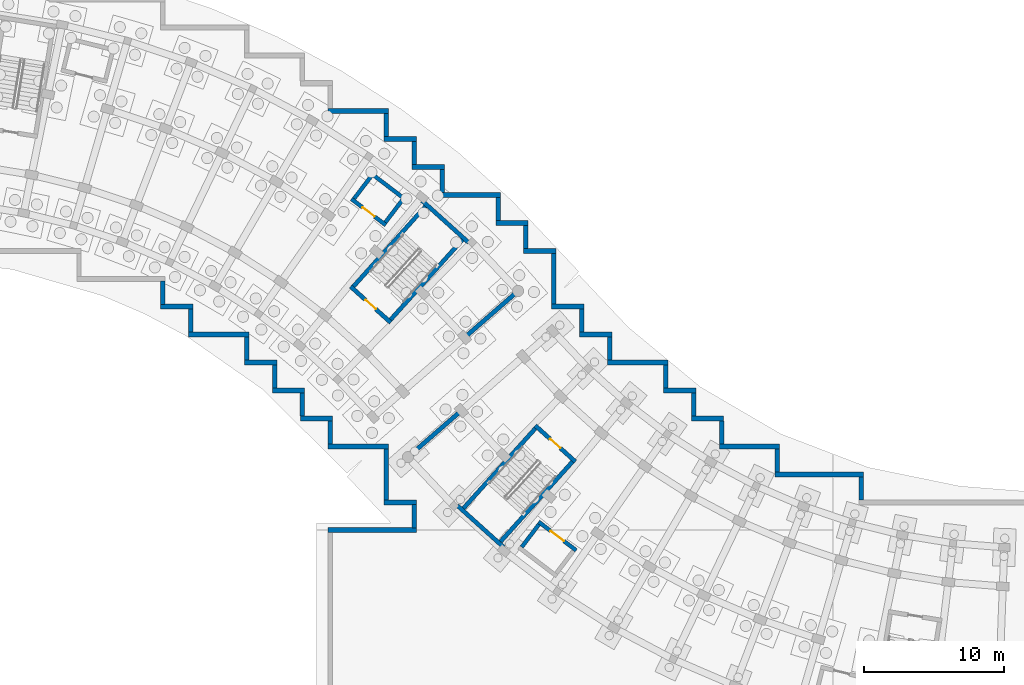
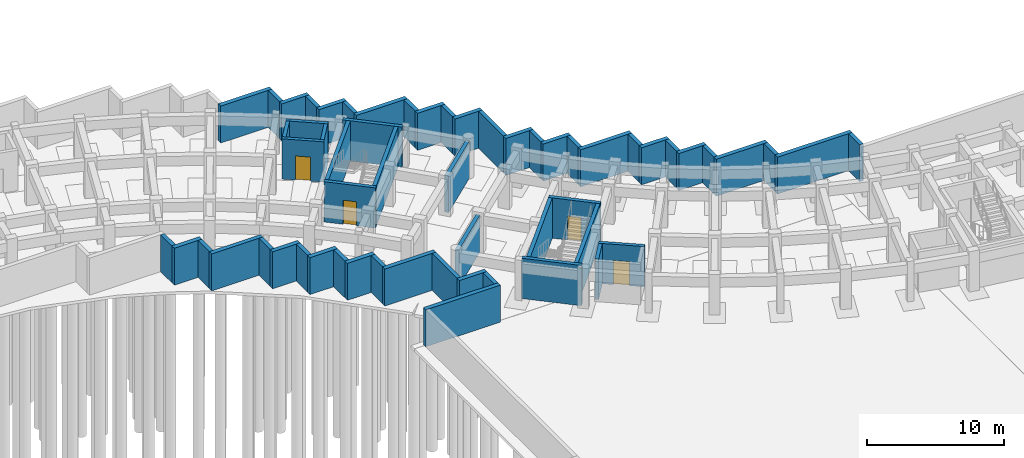
# One storey, part 20 of 32: 58 walls, 4 doors, 4 openings.
"""IFC4 building model written with IfcOpenShell, lengths in metres."""

from ifc_helpers import new_model, si_unit, direction, frame, frame_2d, origin, place, context, subcontext, project, spatial, rectangle, extrude, material, layer, layer_set, type_object, element, fill, save


model = new_model("IFC4")

# Units and contexts
model_context = context("Model", 3, precision=1e-05, world=origin(), true_north=direction((0.0, 1.0)))
body_context = subcontext(model_context, "Body", "Model", "MODEL_VIEW")
ifc_project = project(units=[si_unit("LENGTHUNIT", "METRE"), si_unit("AREAUNIT", "SQUARE_METRE"), si_unit("VOLUMEUNIT", "CUBIC_METRE"), si_unit("PLANEANGLEUNIT", "RADIAN"), si_unit("MASSUNIT", "GRAM", prefix="KILO")], contexts=[model_context])

# Site, building, storey
site_placement = place(None, origin())
site = spatial("IfcSite", under=ifc_project, at=site_placement, CompositionType="ELEMENT")
building_placement = place(site_placement, origin())
building = spatial("IfcBuilding", under=site, at=building_placement, Name="Zimvara Arc Housing Community", CompositionType="ELEMENT")
storey_placement = place(building_placement, frame((0.0, 0.0, -3.60009765625)))
storey = spatial("IfcBuildingStorey", under=building, at=storey_placement, Name="B1", CompositionType="ELEMENT", Elevation=-3.60009765625)

# Wall, opening, door
ifc_material_1 = material(Name="Concrete C40/50", Category="concrete")
ifc_layer_1 = layer(ifc_material_1, 0.280029296875)
ifc_layer_set_1 = layer_set([ifc_layer_1], Name="Concrete C40/50")
wall_type_1 = type_object("IfcWallType", Name="WL-CORE-280", PredefinedType="SHEAR", material=ifc_layer_set_1)
wall_1_placement = place(storey_placement, frame((79.96142578125, 87.84375, 0.0), z_axis=(0.0, 0.0, 1.0), x_axis=(-0.795464365424, 0.606000365793, 0.0)))
wall_1 = element("IfcWall", 1, at=wall_1_placement, inside=storey, type_object=wall_type_1, Name="lwall:LP-B2:B1:front", PredefinedType="SHEAR", context=body_context, shape_type="SweptSolid", body=[
    extrude(rectangle(XDim=3.090087890625, YDim=0.280029296875, at=frame_2d((1.544921875, 0.0))), origin(), (0.0, 0.0, 1.0), 3.60009765625),
])
opening_1_placement = place(wall_1_placement, frame((0.9951171875, 0.0, 0.0)))
opening_1 = element("IfcOpeningElement", 2, at=opening_1_placement, cuts=wall_1, Name="Opening LD-LP-B2", PredefinedType="OPENING", context=body_context, shape_type="SweptSolid", body=[
    extrude(rectangle(XDim=1.10009765625, YDim=2.14990234375, at=frame_2d((0.550048828125, 1.074951171875))), frame((0.0, 0.14990234375, 0.0), z_axis=(0.0, -1.0, 0.0), x_axis=(1.0, 0.0, 0.0)), (0.0, 0.0, 1.0), 0.300048828125),
])
ifc_material_2 = material(Name="Anodised Aluminium AW-6063", Category="aluminium")
door_type_1 = type_object("IfcDoorType", Name="IDR-LD-1100x2150", OperationType="DOUBLE_DOOR_SLIDING", PredefinedType="DOOR", material=ifc_material_2)
door_1_placement = place(opening_1_placement, origin())
door_1 = element("IfcDoor", 3, at=door_1_placement, inside=storey, type_object=door_type_1, Name="Lift LP-B2 Sliding Landing Door B1", OperationType="DOUBLE_DOOR_SLIDING", OverallHeight=2.14990234375, OverallWidth=1.10009765625, PredefinedType="DOOR", context=body_context, shape_type="SweptSolid", body=[
    extrude(rectangle(XDim=1.10009765625, YDim=2.14990234375, at=frame_2d((0.550048828125, 1.074951171875))), frame((0.0, 0.02490234375, 0.0), z_axis=(0.0, -1.0, 0.0), x_axis=(1.0, 0.0, 0.0)), (0.0, 0.0, 1.0), 0.050048828125),
])
fill(opening_1, door_1)

# Walls
wall_2_placement = place(storey_placement, frame((81.361083984375, 89.681396484375, 0.0), z_axis=(0.0, 0.0, 1.0), x_axis=(-0.795502452183, 0.605950368076, 0.0)))
element("IfcWall", 4, at=wall_2_placement, inside=storey, type_object=wall_type_1, Name="lwall:LP-B2:B1:back", PredefinedType="SHEAR", context=body_context, shape_type="SweptSolid", body=[
    extrude(rectangle(XDim=3.08984375, YDim=0.280029296875, at=frame_2d((1.544921875, 0.0))), origin(), (0.0, 0.0, 1.0), 3.60009765625),
])
for number, where, z_axis, x_axis, name in (
    (5, (79.934814453125, 88.0400390625, 0.0), (0.0, 0.0, 1.0), (0.606025097418, 0.795445523779, 0.0), "lwall:LP-B2:B1:left"),
    (6, (77.699462890625, 89.742919921875, 0.0), (0.0, 0.0, 1.0), (0.606025097418, 0.795445523779, 0.0), "lwall:LP-B2:B1:right"),
):
    element("IfcWall", number, at=place(storey_placement, frame(where, z_axis=z_axis, x_axis=x_axis)), inside=storey, type_object=wall_type_1, Name=name, PredefinedType="SHEAR", context=body_context, shape_type="SweptSolid", body=[
        extrude(rectangle(XDim=2.030029296875, YDim=0.280029296875, at=frame_2d((1.01513671875, 0.0))), origin(), (0.0, 0.0, 1.0), 3.60009765625),
    ])

# Wall, opening, door
wall_3_placement = place(storey_placement, frame((90.8994140625, 66.607177734375, 0.0), z_axis=(0.0, 0.0, 1.0), x_axis=(0.795439986025, -0.606032365994, 0.0)))
wall_3 = element("IfcWall", 7, at=wall_3_placement, inside=storey, type_object=wall_type_1, Name="lwall:LF-C1:B1:front", PredefinedType="SHEAR", context=body_context, shape_type="SweptSolid", body=[
    extrude(rectangle(XDim=3.389892578125, YDim=0.280029296875, at=frame_2d((1.69482421875, 0.0))), origin(), (0.0, 0.0, 1.0), 3.60009765625),
])
opening_2_placement = place(wall_3_placement, frame((1.094970703125, 0.0, 0.0)))
opening_2 = element("IfcOpeningElement", 8, at=opening_2_placement, cuts=wall_3, Name="Opening LD-LF-C1", PredefinedType="OPENING", context=body_context, shape_type="SweptSolid", body=[
    extrude(rectangle(XDim=1.199951171875, YDim=2.14990234375, at=frame_2d((0.60009765625, 1.074951171875))), frame((0.0, 0.14990234375, 0.0), z_axis=(0.0, -1.0, 0.0), x_axis=(1.0, 0.0, 0.0)), (0.0, 0.0, 1.0), 0.300048828125),
])
ifc_material_3 = material(Name="Anodised Aluminium AW-6063", Category="aluminium")
door_type_2 = type_object("IfcDoorType", Name="IDR-LD-1200x2150", OperationType="DOUBLE_DOOR_SLIDING", PredefinedType="DOOR", material=ifc_material_3)
door_2_placement = place(opening_2_placement, origin())
door_2 = element("IfcDoor", 9, at=door_2_placement, inside=storey, type_object=door_type_2, Name="Lift LF-C1 Sliding Landing Door B1", OperationType="DOUBLE_DOOR_SLIDING", OverallHeight=2.14990234375, OverallWidth=1.199951171875, PredefinedType="DOOR", context=body_context, shape_type="SweptSolid", body=[
    extrude(rectangle(XDim=1.199951171875, YDim=2.14990234375, at=frame_2d((0.60009765625, 1.074951171875))), frame((0.0, 0.02490234375, 0.0), z_axis=(0.0, -1.0, 0.0), x_axis=(1.0, 0.0, 0.0)), (0.0, 0.0, 1.0), 0.050048828125),
])
fill(opening_2, door_2)

# Wall
wall_4_placement = place(storey_placement, frame((90.92578125, 66.410888671875, 0.0), z_axis=(0.0, 0.0, 1.0), x_axis=(-0.605948992168, -0.795503500238, 0.0)))
element("IfcWall", 10, at=wall_4_placement, inside=storey, type_object=wall_type_1, Name="lwall:LF-C1:B1:left", PredefinedType="SHEAR", context=body_context, shape_type="SweptSolid", body=[
    extrude(rectangle(XDim=2.02978515625, YDim=0.280029296875, at=frame_2d((1.014892578125, 0.0))), origin(), (0.0, 0.0, 1.0), 3.60009765625),
])

# Wall, opening, door
ifc_material_4 = material(Name="Concrete C40/50", Category="concrete")
ifc_layer_2 = layer(ifc_material_4, 0.300048828125)
ifc_layer_set_2 = layer_set([ifc_layer_2], Name="Concrete C40/50")
wall_type_2 = type_object("IfcWallType", Name="WL-CORE-300", PredefinedType="SHEAR", material=ifc_layer_set_2)
wall_5_placement = place(storey_placement, frame((80.320068359375, 80.861572265625, 0.0), z_axis=(0.0, 0.0, 1.0), x_axis=(-0.743375696158, 0.668874109501, 0.0)))
wall_5 = element("IfcWall", 11, at=wall_5_placement, inside=storey, type_object=wall_type_2, Name="cwall:ST-B2:B1:near", PredefinedType="SHEAR", context=body_context, shape_type="SweptSolid", body=[
    extrude(rectangle(XDim=3.8701171875, YDim=0.300048828125, at=frame_2d((1.93505859375, 0.0))), origin(), (0.0, 0.0, 1.0), 3.60009765625),
])
opening_3_placement = place(wall_5_placement, frame((1.43505859375, 0.0, 0.0)))
opening_3 = element("IfcOpeningElement", 12, at=opening_3_placement, cuts=wall_5, Name="Opening FD-ST1", PredefinedType="OPENING", context=body_context, shape_type="SweptSolid", body=[
    extrude(rectangle(XDim=1.0, YDim=2.14990234375, at=frame_2d((0.5, 1.074951171875))), frame((0.0, 0.159912109375, 0.0), z_axis=(0.0, -1.0, 0.0), x_axis=(1.0, 0.0, 0.0)), (0.0, 0.0, 1.0), 0.320068359375),
])
ifc_material_5 = material(Name="Anodised Aluminium AW-6063", Category="aluminium")
door_type_3 = type_object("IfcDoorType", Name="IDR-ST-1000x2150", OperationType="NOTDEFINED", PredefinedType="DOOR", material=ifc_material_5)
door_3_placement = place(opening_3_placement, origin())
door_3 = element("IfcDoor", 13, at=door_3_placement, inside=storey, type_object=door_type_3, Name="idoor:ST-B2:B1:entry", OperationType="SINGLE_SWING_LEFT", OverallHeight=2.14990234375, OverallWidth=1.0, PredefinedType="DOOR", context=body_context, shape_type="SweptSolid", body=[
    extrude(rectangle(XDim=1.0, YDim=2.14990234375, at=frame_2d((0.5, 1.074951171875))), frame((0.0, 0.02490234375, 0.0), z_axis=(0.0, -1.0, 0.0), x_axis=(1.0, 0.0, 0.0)), (0.0, 0.0, 1.0), 0.050048828125),
])
fill(opening_3, door_3)

# Walls
wall_6_placement = place(storey_placement, frame((85.887451171875, 86.6005859375, 0.0), z_axis=(0.0, 0.0, 1.0), x_axis=(-0.743400052815, 0.668847038922, 0.0)))
element("IfcWall", 14, at=wall_6_placement, inside=storey, type_object=wall_type_2, Name="cwall:ST-B2:B1:far", PredefinedType="SHEAR", context=body_context, shape_type="SweptSolid", body=[
    extrude(rectangle(XDim=4.469970703125, YDim=0.300048828125, at=frame_2d((2.23486328125, 0.0))), origin(), (0.0, 0.0, 1.0), 3.60009765625),
])
wall_7_placement = place(storey_placement, frame((80.308837890625, 81.073486328125, 0.0), z_axis=(0.0, 0.0, 1.0), x_axis=(0.668885797871, 0.743365179038, 0.0)))
element("IfcWall", 15, at=wall_7_placement, inside=storey, type_object=wall_type_2, Name="cwall:ST-B2:B1:left", PredefinedType="SHEAR", context=body_context, shape_type="SweptSolid", body=[
    extrude(rectangle(XDim=7.690185546875, YDim=0.300048828125, at=frame_2d((3.84521484375, 0.0))), origin(), (0.0, 0.0, 1.0), 3.60009765625),
])
wall_8_placement = place(storey_placement, frame((77.655029296875, 83.461181640625, 0.0), z_axis=(0.0, 0.0, 1.0), x_axis=(0.668868253964, 0.743380964808, 0.0)))
element("IfcWall", 16, at=wall_8_placement, inside=storey, type_object=wall_type_2, Name="cwall:ST-B2:B1:right", PredefinedType="SHEAR", context=body_context, shape_type="SweptSolid", body=[
    extrude(rectangle(XDim=7.68994140625, YDim=0.300048828125, at=frame_2d((3.844970703125, 0.0))), origin(), (0.0, 0.0, 1.0), 3.60009765625),
])

# Wall, opening, door
wall_9_placement = place(storey_placement, frame((90.659912109375, 73.49853515625, 0.0), z_axis=(0.0, 0.0, 1.0), x_axis=(0.743375696158, -0.668874109501, 0.0)))
wall_9 = element("IfcWall", 17, at=wall_9_placement, inside=storey, type_object=wall_type_2, Name="cwall:ST-C1:B1:near", PredefinedType="SHEAR", context=body_context, shape_type="SweptSolid", body=[
    extrude(rectangle(XDim=3.8701171875, YDim=0.300048828125, at=frame_2d((1.93505859375, 0.0))), origin(), (0.0, 0.0, 1.0), 3.60009765625),
])
opening_4_placement = place(wall_9_placement, frame((1.43505859375, 0.0, 0.0)))
opening_4 = element("IfcOpeningElement", 18, at=opening_4_placement, cuts=wall_9, Name="Opening FD-ST1", PredefinedType="OPENING", context=body_context, shape_type="SweptSolid", body=[
    extrude(rectangle(XDim=1.0, YDim=2.14990234375, at=frame_2d((0.5, 1.074951171875))), frame((0.0, 0.159912109375, 0.0), z_axis=(0.0, -1.0, 0.0), x_axis=(1.0, 0.0, 0.0)), (0.0, 0.0, 1.0), 0.320068359375),
])
door_4_placement = place(opening_4_placement, origin())
door_4 = element("IfcDoor", 19, at=door_4_placement, inside=storey, type_object=door_type_3, Name="idoor:ST-C1:B1:entry", OperationType="SINGLE_SWING_LEFT", OverallHeight=2.14990234375, OverallWidth=1.0, PredefinedType="DOOR", context=body_context, shape_type="SweptSolid", body=[
    extrude(rectangle(XDim=1.0, YDim=2.14990234375, at=frame_2d((0.5, 1.074951171875))), frame((0.0, 0.02490234375, 0.0), z_axis=(0.0, -1.0, 0.0), x_axis=(1.0, 0.0, 0.0)), (0.0, 0.0, 1.0), 0.050048828125),
])
fill(opening_4, door_4)

# Walls
wall_10_placement = place(storey_placement, frame((85.092529296875, 67.759521484375, 0.0), z_axis=(0.0, 0.0, 1.0), x_axis=(0.743372896184, -0.668877221333, 0.0)))
element("IfcWall", 20, at=wall_10_placement, inside=storey, type_object=wall_type_2, Name="cwall:ST-C1:B1:far", PredefinedType="SHEAR", context=body_context, shape_type="SweptSolid", body=[
    extrude(rectangle(XDim=4.47021484375, YDim=0.300048828125, at=frame_2d((2.235107421875, 0.0))), origin(), (0.0, 0.0, 1.0), 3.60009765625),
])
wall_11_placement = place(storey_placement, frame((90.671142578125, 73.28662109375, 0.0), z_axis=(0.0, 0.0, 1.0), x_axis=(-0.668885797871, -0.743365179038, 0.0)))
element("IfcWall", 21, at=wall_11_placement, inside=storey, type_object=wall_type_2, Name="cwall:ST-C1:B1:left", PredefinedType="SHEAR", context=body_context, shape_type="SweptSolid", body=[
    extrude(rectangle(XDim=7.690185546875, YDim=0.300048828125, at=frame_2d((3.84521484375, 0.0))), origin(), (0.0, 0.0, 1.0), 3.60009765625),
])
wall_12_placement = place(storey_placement, frame((93.324951171875, 70.898681640625, 0.0), z_axis=(0.0, 0.0, 1.0), x_axis=(-0.668868253964, -0.743380964808, 0.0)))
element("IfcWall", 22, at=wall_12_placement, inside=storey, type_object=wall_type_2, Name="cwall:ST-C1:B1:right", PredefinedType="SHEAR", context=body_context, shape_type="SweptSolid", body=[
    extrude(rectangle(XDim=7.68994140625, YDim=0.300048828125, at=frame_2d((3.844970703125, 0.0))), origin(), (0.0, 0.0, 1.0), 3.60009765625),
])
ifc_material_6 = material(Name="Concrete C35/45", Category="concrete")
ifc_layer_3 = layer(ifc_material_6, 0.320068359375)
ifc_layer_set_3 = layer_set([ifc_layer_3], Name="Concrete C35/45")
wall_type_3 = type_object("IfcWallType", Name="WL-RET-320", PredefinedType="USERDEFINED", material=ifc_layer_set_3)
for number, where, z_axis, x_axis, name in (
    (23, (114.0, 68.175048828125, 0.0), (0.0, 0.0, 1.0), (0.0, 1.0, 0.0), "wall:B1:ret:32"),
    (24, (108.0, 70.175048828125, 0.0), (0.0, 0.0, 1.0), (0.0, 1.0, 0.0), "wall:B1:ret:34"),
    (25, (104.0, 72.175048828125, 0.0), (0.0, 0.0, 1.0), (0.0, 1.0, 0.0), "wall:B1:ret:36"),
    (26, (102.0, 74.175048828125, 0.0), (0.0, 0.0, 1.0), (0.0, 1.0, 0.0), "wall:B1:ret:38"),
    (27, (100.0, 76.175048828125, 0.0), (0.0, 0.0, 1.0), (0.0, 1.0, 0.0), "wall:B1:ret:40"),
    (28, (96.0, 78.175048828125, 0.0), (0.0, 0.0, 1.0), (0.0, 1.0, 0.0), "wall:B1:ret:42"),
    (29, (94.0, 80.175048828125, 0.0), (0.0, 0.0, 1.0), (0.0, 1.0, 0.0), "wall:B1:ret:44"),
):
    element("IfcWall", number, at=place(storey_placement, frame(where, z_axis=z_axis, x_axis=x_axis)), inside=storey, type_object=wall_type_3, Name=name, ObjectType="RETAINING WALL", PredefinedType="USERDEFINED", context=body_context, shape_type="SweptSolid", body=[
        extrude(rectangle(XDim=1.64990234375, YDim=0.320068359375, at=frame_2d((0.824951171875, 0.0))), origin(), (0.0, 0.0, 1.0), 3.300048828125),
    ])
wall_13_placement = place(storey_placement, frame((92.0, 82.175048828125, 0.0), z_axis=(0.0, 0.0, 1.0), x_axis=(0.0, 1.0, 0.0)))
element("IfcWall", 30, at=wall_13_placement, inside=storey, type_object=wall_type_3, Name="wall:B1:ret:46", ObjectType="RETAINING WALL", PredefinedType="USERDEFINED", context=body_context, shape_type="SweptSolid", body=[
    extrude(rectangle(XDim=3.64990234375, YDim=0.320068359375, at=frame_2d((1.824951171875, 0.0))), origin(), (0.0, 0.0, 1.0), 3.300048828125),
])
for number, where, z_axis, x_axis, name in (
    (31, (90.0, 86.175048828125, 0.0), (0.0, 0.0, 1.0), (0.0, 1.0, 0.0), "wall:B1:ret:48"),
    (32, (88.0, 88.175048828125, 0.0), (0.0, 0.0, 1.0), (0.0, 1.0, 0.0), "wall:B1:ret:50"),
    (33, (84.0, 90.175048828125, 0.0), (0.0, 0.0, 1.0), (0.0, 1.0, 0.0), "wall:B1:ret:52"),
    (34, (82.0, 92.175048828125, 0.0), (0.0, 0.0, 1.0), (0.0, 1.0, 0.0), "wall:B1:ret:54"),
    (35, (80.0, 94.175048828125, 0.0), (0.0, 0.0, 1.0), (0.0, 1.0, 0.0), "wall:B1:ret:56"),
    (36, (64.0, 83.824951171875, 0.0), (0.0, 0.0, 1.0), (0.0, -1.0, 0.0), "wall:B1:ret:114"),
    (37, (66.0, 81.824951171875, 0.0), (0.0, 0.0, 1.0), (0.0, -1.0, 0.0), "wall:B1:ret:116"),
    (38, (70.0, 79.824951171875, 0.0), (0.0, 0.0, 1.0), (0.0, -1.0, 0.0), "wall:B1:ret:118"),
    (39, (72.0, 77.824951171875, 0.0), (0.0, 0.0, 1.0), (0.0, -1.0, 0.0), "wall:B1:ret:120"),
    (40, (74.0, 75.824951171875, 0.0), (0.0, 0.0, 1.0), (0.0, -1.0, 0.0), "wall:B1:ret:122"),
    (41, (76.0, 73.824951171875, 0.0), (0.0, 0.0, 1.0), (0.0, -1.0, 0.0), "wall:B1:ret:124"),
):
    element("IfcWall", number, at=place(storey_placement, frame(where, z_axis=z_axis, x_axis=x_axis)), inside=storey, type_object=wall_type_3, Name=name, ObjectType="RETAINING WALL", PredefinedType="USERDEFINED", context=body_context, shape_type="SweptSolid", body=[
        extrude(rectangle(XDim=1.64990234375, YDim=0.320068359375, at=frame_2d((0.824951171875, 0.0))), origin(), (0.0, 0.0, 1.0), 3.300048828125),
    ])
wall_14_placement = place(storey_placement, frame((80.0, 71.824951171875, 0.0), z_axis=(0.0, 0.0, 1.0), x_axis=(0.0, -1.0, 0.0)))
element("IfcWall", 42, at=wall_14_placement, inside=storey, type_object=wall_type_3, Name="wall:B1:ret:126", ObjectType="RETAINING WALL", PredefinedType="USERDEFINED", context=body_context, shape_type="SweptSolid", body=[
    extrude(rectangle(XDim=3.64990234375, YDim=0.320068359375, at=frame_2d((1.824951171875, 0.0))), origin(), (0.0, 0.0, 1.0), 3.300048828125),
])
wall_15_placement = place(storey_placement, frame((82.0, 67.824951171875, 0.0), z_axis=(0.0, 0.0, 1.0), x_axis=(0.0, -1.0, 0.0)))
element("IfcWall", 43, at=wall_15_placement, inside=storey, type_object=wall_type_3, Name="wall:B1:ret:128", ObjectType="RETAINING WALL", PredefinedType="USERDEFINED", context=body_context, shape_type="SweptSolid", body=[
    extrude(rectangle(XDim=1.64990234375, YDim=0.320068359375, at=frame_2d((0.824951171875, 0.0))), origin(), (0.0, 0.0, 1.0), 3.300048828125),
])
ifc_material_7 = material(Name="Concrete C35/45", Category="concrete")
ifc_layer_4 = layer(ifc_material_7, 0.360107421875)
ifc_layer_set_4 = layer_set([ifc_layer_4], Name="Concrete C35/45")
wall_type_4 = type_object("IfcWallType", Name="WL-RET-360", PredefinedType="USERDEFINED", material=ifc_layer_set_4)
wall_16_placement = place(storey_placement, frame((114.159912109375, 70.0, 0.0), z_axis=(0.0, 0.0, 1.0), x_axis=(-1.0, 0.0, 0.0)))
element("IfcWall", 44, at=wall_16_placement, inside=storey, type_object=wall_type_4, Name="wall:B1:ret:33", ObjectType="RETAINING WALL", PredefinedType="USERDEFINED", context=body_context, shape_type="SweptSolid", body=[
    extrude(rectangle(XDim=6.31982421875, YDim=0.360107421875, at=frame_2d((3.159912109375, 0.0))), origin(), (0.0, 0.0, 1.0), 3.300048828125),
])
wall_17_placement = place(storey_placement, frame((108.159912109375, 72.0, 0.0), z_axis=(0.0, 0.0, 1.0), x_axis=(-1.0, 0.0, 0.0)))
element("IfcWall", 45, at=wall_17_placement, inside=storey, type_object=wall_type_4, Name="wall:B1:ret:35", ObjectType="RETAINING WALL", PredefinedType="USERDEFINED", context=body_context, shape_type="SweptSolid", body=[
    extrude(rectangle(XDim=4.31982421875, YDim=0.360107421875, at=frame_2d((2.159912109375, 0.0))), origin(), (0.0, 0.0, 1.0), 3.300048828125),
])
for number, where, z_axis, x_axis, name in (
    (46, (104.159912109375, 74.0, 0.0), (0.0, 0.0, 1.0), (-1.0, 0.0, 0.0), "wall:B1:ret:37"),
    (47, (102.159912109375, 76.0, 0.0), (0.0, 0.0, 1.0), (-1.0, 0.0, 0.0), "wall:B1:ret:39"),
):
    element("IfcWall", number, at=place(storey_placement, frame(where, z_axis=z_axis, x_axis=x_axis)), inside=storey, type_object=wall_type_4, Name=name, ObjectType="RETAINING WALL", PredefinedType="USERDEFINED", context=body_context, shape_type="SweptSolid", body=[
        extrude(rectangle(XDim=2.31982421875, YDim=0.360107421875, at=frame_2d((1.159912109375, 0.0))), origin(), (0.0, 0.0, 1.0), 3.300048828125),
    ])
wall_18_placement = place(storey_placement, frame((100.159912109375, 78.0, 0.0), z_axis=(0.0, 0.0, 1.0), x_axis=(-1.0, 0.0, 0.0)))
element("IfcWall", 48, at=wall_18_placement, inside=storey, type_object=wall_type_4, Name="wall:B1:ret:41", ObjectType="RETAINING WALL", PredefinedType="USERDEFINED", context=body_context, shape_type="SweptSolid", body=[
    extrude(rectangle(XDim=4.31982421875, YDim=0.360107421875, at=frame_2d((2.159912109375, 0.0))), origin(), (0.0, 0.0, 1.0), 3.300048828125),
])
for number, where, z_axis, x_axis, name in (
    (49, (96.159912109375, 80.0, 0.0), (0.0, 0.0, 1.0), (-1.0, 0.0, 0.0), "wall:B1:ret:43"),
    (50, (94.159912109375, 82.0, 0.0), (0.0, 0.0, 1.0), (-1.0, 0.0, 0.0), "wall:B1:ret:45"),
    (51, (92.159912109375, 86.0, 0.0), (0.0, 0.0, 1.0), (-1.0, 0.0, 0.0), "wall:B1:ret:47"),
    (52, (90.159912109375, 88.0, 0.0), (0.0, 0.0, 1.0), (-1.0, 0.0, 0.0), "wall:B1:ret:49"),
):
    element("IfcWall", number, at=place(storey_placement, frame(where, z_axis=z_axis, x_axis=x_axis)), inside=storey, type_object=wall_type_4, Name=name, ObjectType="RETAINING WALL", PredefinedType="USERDEFINED", context=body_context, shape_type="SweptSolid", body=[
        extrude(rectangle(XDim=2.31982421875, YDim=0.360107421875, at=frame_2d((1.159912109375, 0.0))), origin(), (0.0, 0.0, 1.0), 3.300048828125),
    ])
wall_19_placement = place(storey_placement, frame((88.159912109375, 90.0, 0.0), z_axis=(0.0, 0.0, 1.0), x_axis=(-1.0, 0.0, 0.0)))
element("IfcWall", 53, at=wall_19_placement, inside=storey, type_object=wall_type_4, Name="wall:B1:ret:51", ObjectType="RETAINING WALL", PredefinedType="USERDEFINED", context=body_context, shape_type="SweptSolid", body=[
    extrude(rectangle(XDim=4.31982421875, YDim=0.360107421875, at=frame_2d((2.159912109375, 0.0))), origin(), (0.0, 0.0, 1.0), 3.300048828125),
])
for number, where, z_axis, x_axis, name in (
    (54, (84.159912109375, 92.0, 0.0), (0.0, 0.0, 1.0), (-1.0, 0.0, 0.0), "wall:B1:ret:53"),
    (55, (82.159912109375, 94.0, 0.0), (0.0, 0.0, 1.0), (-1.0, 0.0, 0.0), "wall:B1:ret:55"),
):
    element("IfcWall", number, at=place(storey_placement, frame(where, z_axis=z_axis, x_axis=x_axis)), inside=storey, type_object=wall_type_4, Name=name, ObjectType="RETAINING WALL", PredefinedType="USERDEFINED", context=body_context, shape_type="SweptSolid", body=[
        extrude(rectangle(XDim=2.31982421875, YDim=0.360107421875, at=frame_2d((1.159912109375, 0.0))), origin(), (0.0, 0.0, 1.0), 3.300048828125),
    ])
wall_20_placement = place(storey_placement, frame((80.159912109375, 96.0, 0.0), z_axis=(0.0, 0.0, 1.0), x_axis=(-1.0, 0.0, 0.0)))
element("IfcWall", 56, at=wall_20_placement, inside=storey, type_object=wall_type_4, Name="wall:B1:ret:57", ObjectType="RETAINING WALL", PredefinedType="USERDEFINED", context=body_context, shape_type="SweptSolid", body=[
    extrude(rectangle(XDim=4.31982421875, YDim=0.360107421875, at=frame_2d((2.159912109375, 0.0))), origin(), (0.0, 0.0, 1.0), 3.300048828125),
])
wall_21_placement = place(storey_placement, frame((63.840087890625, 82.0, 0.0), z_axis=(0.0, 0.0, 1.0), x_axis=(1.0, 0.0, 0.0)))
element("IfcWall", 57, at=wall_21_placement, inside=storey, type_object=wall_type_4, Name="wall:B1:ret:115", ObjectType="RETAINING WALL", PredefinedType="USERDEFINED", context=body_context, shape_type="SweptSolid", body=[
    extrude(rectangle(XDim=2.31982421875, YDim=0.360107421875, at=frame_2d((1.159912109375, 0.0))), origin(), (0.0, 0.0, 1.0), 3.300048828125),
])
wall_22_placement = place(storey_placement, frame((65.840087890625, 80.0, 0.0), z_axis=(0.0, 0.0, 1.0), x_axis=(1.0, 0.0, 0.0)))
element("IfcWall", 58, at=wall_22_placement, inside=storey, type_object=wall_type_4, Name="wall:B1:ret:117", ObjectType="RETAINING WALL", PredefinedType="USERDEFINED", context=body_context, shape_type="SweptSolid", body=[
    extrude(rectangle(XDim=4.31982421875, YDim=0.360107421875, at=frame_2d((2.159912109375, 0.0))), origin(), (0.0, 0.0, 1.0), 3.300048828125),
])
for number, where, z_axis, x_axis, name in (
    (59, (69.840087890625, 78.0, 0.0), (0.0, 0.0, 1.0), (1.0, 0.0, 0.0), "wall:B1:ret:119"),
    (60, (71.840087890625, 76.0, 0.0), (0.0, 0.0, 1.0), (1.0, 0.0, 0.0), "wall:B1:ret:121"),
    (61, (73.840087890625, 74.0, 0.0), (0.0, 0.0, 1.0), (1.0, 0.0, 0.0), "wall:B1:ret:123"),
):
    element("IfcWall", number, at=place(storey_placement, frame(where, z_axis=z_axis, x_axis=x_axis)), inside=storey, type_object=wall_type_4, Name=name, ObjectType="RETAINING WALL", PredefinedType="USERDEFINED", context=body_context, shape_type="SweptSolid", body=[
        extrude(rectangle(XDim=2.31982421875, YDim=0.360107421875, at=frame_2d((1.159912109375, 0.0))), origin(), (0.0, 0.0, 1.0), 3.300048828125),
    ])
wall_23_placement = place(storey_placement, frame((75.840087890625, 72.0, 0.0), z_axis=(0.0, 0.0, 1.0), x_axis=(1.0, 0.0, 0.0)))
element("IfcWall", 62, at=wall_23_placement, inside=storey, type_object=wall_type_4, Name="wall:B1:ret:125", ObjectType="RETAINING WALL", PredefinedType="USERDEFINED", context=body_context, shape_type="SweptSolid", body=[
    extrude(rectangle(XDim=4.31982421875, YDim=0.360107421875, at=frame_2d((2.159912109375, 0.0))), origin(), (0.0, 0.0, 1.0), 3.300048828125),
])
wall_24_placement = place(storey_placement, frame((79.840087890625, 68.0, 0.0), z_axis=(0.0, 0.0, 1.0), x_axis=(1.0, 0.0, 0.0)))
element("IfcWall", 63, at=wall_24_placement, inside=storey, type_object=wall_type_4, Name="wall:B1:ret:127", ObjectType="RETAINING WALL", PredefinedType="USERDEFINED", context=body_context, shape_type="SweptSolid", body=[
    extrude(rectangle(XDim=2.31982421875, YDim=0.360107421875, at=frame_2d((1.159912109375, 0.0))), origin(), (0.0, 0.0, 1.0), 3.300048828125),
])
wall_25_placement = place(storey_placement, frame((82.159912109375, 66.0, 0.0), z_axis=(0.0, 0.0, 1.0), x_axis=(-1.0, 0.0, 0.0)))
element("IfcWall", 64, at=wall_25_placement, inside=storey, type_object=wall_type_4, Name="wall:B1:ret:129", ObjectType="RETAINING WALL", PredefinedType="USERDEFINED", context=body_context, shape_type="SweptSolid", body=[
    extrude(rectangle(XDim=6.31982421875, YDim=0.360107421875, at=frame_2d((3.159912109375, 0.0))), origin(), (0.0, 0.0, 1.0), 3.300048828125),
])
ifc_material_8 = material(Name="Concrete C40/50", Category="concrete")
ifc_layer_5 = layer(ifc_material_8, 0.31005859375)
ifc_layer_set_5 = layer_set([ifc_layer_5], Name="Concrete C40/50")
wall_type_5 = type_object("IfcWallType", Name="WL-SHEAR-310", PredefinedType="SHEAR", material=ifc_layer_set_5)
for number, where, z_axis, x_axis, name in (
    (65, (85.7392578125, 79.9140625, 0.0), (0.0, 0.0, 1.0), (0.754703505217, 0.65606601742, 0.0), "swall:blkB:B1:east"),
    (66, (85.24072265625, 74.446044921875, 0.0), (0.0, 0.0, 1.0), (-0.754703505217, -0.65606601742, 0.0), "swall:blkC:B1:west"),
):
    element("IfcWall", number, at=place(storey_placement, frame(where, z_axis=z_axis, x_axis=x_axis)), inside=storey, type_object=wall_type_5, Name=name, PredefinedType="SHEAR", context=body_context, shape_type="SweptSolid", body=[
        extrude(rectangle(XDim=4.719970703125, YDim=0.31005859375, at=frame_2d((2.35986328125, 0.0))), origin(), (0.0, 0.0, 1.0), 3.300048828125),
    ])

save(model, "model.ifc")
